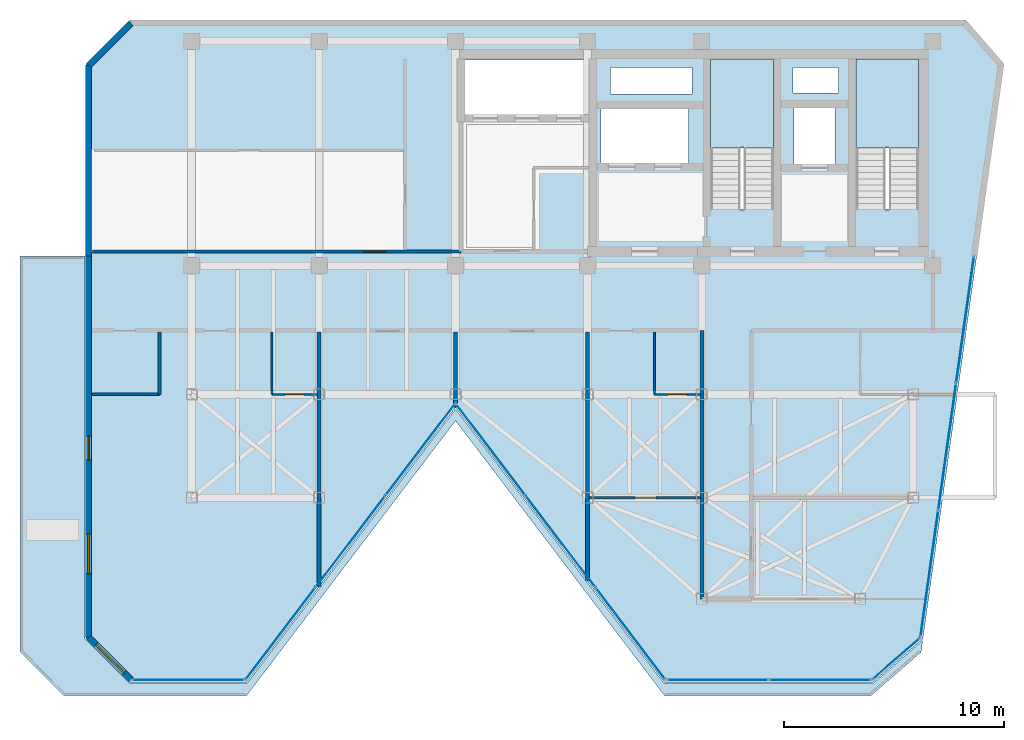
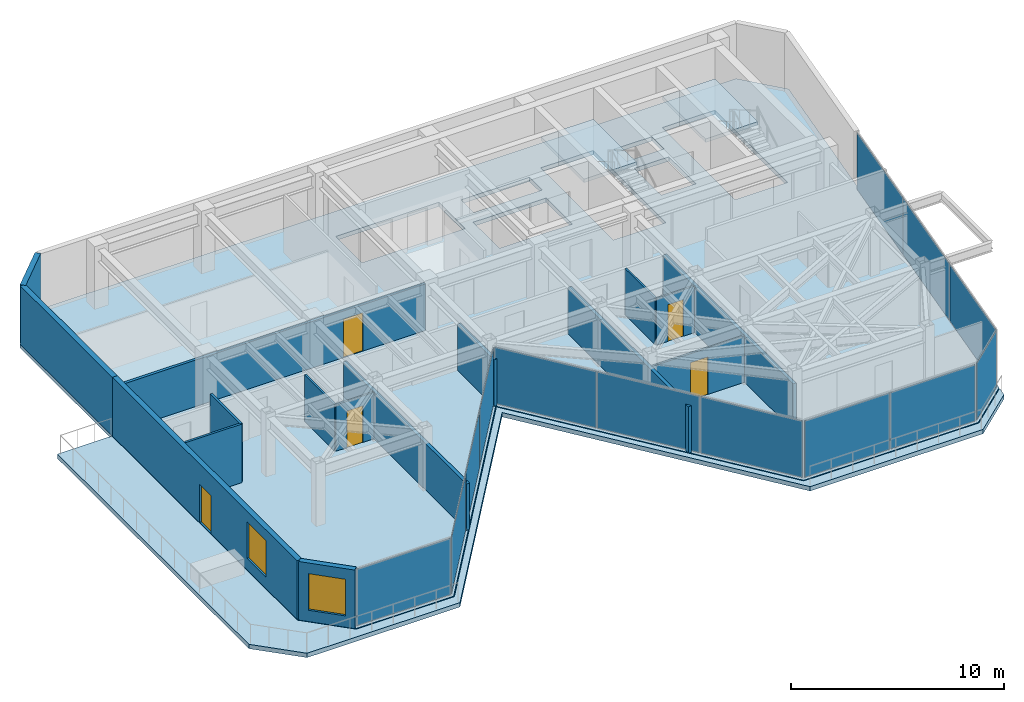
# One storey, part 13 of 17: 16 walls, 13 plates, 5 doors, 4 slabs, 2 windows, 7 openings, 8 elements without a shape of their own.
"""IFC4 building model written with IfcOpenShell, lengths in metres."""

from ifc_helpers import new_model, si_unit, direction, frame, frame_2d, origin, origin_2d, place, context, subcontext, project, spatial, polyline, rectangle, outline, extrude, material, layer, layer_set, type_object, element, fill, aggregate, save


model = new_model("IFC4")

# Units and contexts
model_context = context("Model", 3, precision=1e-05, world=origin(), true_north=direction((0.0, 1.0)))
body_context = subcontext(model_context, "Body", "Model", "MODEL_VIEW")
ifc_project = project(units=[si_unit("LENGTHUNIT", "METRE"), si_unit("AREAUNIT", "SQUARE_METRE"), si_unit("VOLUMEUNIT", "CUBIC_METRE"), si_unit("PLANEANGLEUNIT", "RADIAN"), si_unit("MASSUNIT", "GRAM", prefix="KILO")], contexts=[model_context])

# Site, building, storey
site_placement = place(None, origin())
site = spatial("IfcSite", under=ifc_project, at=site_placement, CompositionType="ELEMENT")
building_placement = place(site_placement, origin())
building = spatial("IfcBuilding", under=site, at=building_placement, Name="Kravanh Interchange Tower", CompositionType="ELEMENT")
storey_placement = place(building_placement, frame((0.0, 0.0, 263.39990234375)))
storey = spatial("IfcBuildingStorey", under=building, at=storey_placement, Name="L64", CompositionType="ELEMENT", Elevation=263.39990234375)

# Curtain wall, plates
ifc_material_1 = material(Name="Anodised Bronze Aluminium", Category="aluminium")
ifc_layer_1 = layer(ifc_material_1, 0.179931640625)
ifc_layer_set_1 = layer_set([ifc_layer_1], Name="Unitised Curtain Wall System CW-HTL Luxury Hotel")
curtain_wall_type = type_object("IfcCurtainWallType", Name="Unitised Curtain Wall System CW-HTL Luxury Hotel", PredefinedType="NOTDEFINED", material=ifc_layer_set_1)
curtain_wall_1_placement = place(storey_placement, origin())
curtain_wall_1 = element("IfcCurtainWall", 1, at=curtain_wall_1_placement, inside=storey, type_object=curtain_wall_type, Name="L64 Unitised Curtain Wall CW-L64-01", PredefinedType="NOTDEFINED")
ifc_material_2 = material(Name="Low-E Laminated Architectural Glass", Category="glass")
ifc_layer_2 = layer(ifc_material_2, 0.030029296875)
ifc_layer_set_2 = layer_set([ifc_layer_2], Name="Acoustic Laminated Glazing 30mm")
plate_type = type_object("IfcPlateType", Name="Acoustic Laminated Glazing 30mm", PredefinedType="CURTAIN_PANEL", material=ifc_layer_set_2)
plate_1_placement = place(storey_placement, frame((67.96630859375, 34.89208984375, 0.06005859375), z_axis=(0.0, 0.0, 1.0), x_axis=(-0.139175113512, -0.990267785894, 0.0)))
plate_1 = element("IfcPlate", 2, at=plate_1_placement, type_object=plate_type, Name="CW-HTL panel 1.1", PredefinedType="CURTAIN_PANEL", context=body_context, shape_type="SweptSolid", body=[
    extrude(rectangle(XDim=5.7529296875, YDim=0.030029296875, at=origin_2d()), origin(), (0.0, 0.0, 1.0), 3.239990234375),
])
plate_2_placement = place(storey_placement, frame((67.1552734375, 29.120849609375, 0.06005859375), z_axis=(0.0, 0.0, 1.0), x_axis=(-0.139175113512, -0.990267785894, 0.0)))
plate_2 = element("IfcPlate", 3, at=plate_2_placement, type_object=plate_type, Name="CW-HTL panel 2.1", PredefinedType="CURTAIN_PANEL", context=body_context, shape_type="SweptSolid", body=[
    extrude(rectangle(XDim=5.782958984375, YDim=0.030029296875, at=origin_2d()), origin(), (0.0, 0.0, 1.0), 3.239990234375),
])
plate_3_placement = place(storey_placement, frame((66.34423828125, 23.349609375, 0.06005859375), z_axis=(0.0, 0.0, 1.0), x_axis=(-0.139175113512, -0.990267785894, 0.0)))
plate_3 = element("IfcPlate", 4, at=plate_3_placement, type_object=plate_type, Name="CW-HTL panel 3.1", PredefinedType="CURTAIN_PANEL", context=body_context, shape_type="SweptSolid", body=[
    extrude(rectangle(XDim=5.7529296875, YDim=0.030029296875, at=origin_2d()), origin(), (0.0, 0.0, 1.0), 3.239990234375),
])
aggregate(curtain_wall_1, [plate_1, plate_2, plate_3])

# Curtain wall, plate
curtain_wall_2_placement = place(storey_placement, origin())
curtain_wall_2 = element("IfcCurtainWall", 5, at=curtain_wall_2_placement, inside=storey, type_object=curtain_wall_type, Name="L64 Unitised Curtain Wall CW-L64-02", PredefinedType="NOTDEFINED")
plate_4_placement = place(storey_placement, frame((64.830078125, 19.480712890625, 0.06005859375), z_axis=(0.0, 0.0, 1.0), x_axis=(-0.75473192521, -0.656033323139, 0.0)))
plate_4 = element("IfcPlate", 6, at=plate_4_placement, type_object=plate_type, Name="CW-HTL panel 1.1", PredefinedType="CURTAIN_PANEL", context=body_context, shape_type="SweptSolid", body=[
    extrude(rectangle(XDim=2.80908203125, YDim=0.030029296875, at=origin_2d()), origin(), (0.0, 0.0, 1.0), 3.239990234375),
])
aggregate(curtain_wall_2, [plate_4])

# Curtain wall, plates
curtain_wall_3_placement = place(storey_placement, origin())
curtain_wall_3 = element("IfcCurtainWall", 7, at=curtain_wall_3_placement, inside=storey, type_object=curtain_wall_type, Name="L64 Unitised Curtain Wall CW-L64-03", PredefinedType="NOTDEFINED")
plate_5_placement = place(storey_placement, frame((61.368408203125, 18.52001953125, 0.06005859375), z_axis=(0.0, 0.0, 1.0), x_axis=(-1.0, 0.0, 0.0)))
plate_5 = element("IfcPlate", 8, at=plate_5_placement, type_object=plate_type, Name="CW-HTL panel 1.1", PredefinedType="CURTAIN_PANEL", context=body_context, shape_type="SweptSolid", body=[
    extrude(rectangle(XDim=4.592529296875, YDim=0.030029296875, at=origin_2d()), origin(), (0.0, 0.0, 1.0), 3.239990234375),
])
plate_6_placement = place(storey_placement, frame((56.7158203125, 18.52001953125, 0.06005859375), z_axis=(0.0, 0.0, 1.0), x_axis=(-1.0, 0.0, 0.0)))
plate_6 = element("IfcPlate", 9, at=plate_6_placement, type_object=plate_type, Name="CW-HTL panel 2.1", PredefinedType="CURTAIN_PANEL", context=body_context, shape_type="SweptSolid", body=[
    extrude(rectangle(XDim=4.592529296875, YDim=0.030029296875, at=origin_2d()), origin(), (0.0, 0.0, 1.0), 3.239990234375),
])
aggregate(curtain_wall_3, [plate_5, plate_6])

curtain_wall_4_placement = place(storey_placement, origin())
curtain_wall_4 = element("IfcCurtainWall", 10, at=curtain_wall_4_placement, inside=storey, type_object=curtain_wall_type, Name="L64 Unitised Curtain Wall CW-L64-04", PredefinedType="NOTDEFINED")
plate_7_placement = place(storey_placement, frame((52.757080078125, 20.62841796875, 0.06005859375), z_axis=(0.0, 0.0, 1.0), x_axis=(-0.605082946564, 0.79616243806, 0.0)))
plate_7 = element("IfcPlate", 11, at=plate_7_placement, type_object=plate_type, Name="CW-HTL panel 1.1", PredefinedType="CURTAIN_PANEL", context=body_context, shape_type="SweptSolid", body=[
    extrude(rectangle(XDim=5.17626953125, YDim=0.030029296875, at=origin_2d()), origin(), (0.0, 0.0, 1.0), 3.239990234375),
])
plate_8_placement = place(storey_placement, frame((49.579833984375, 24.80908203125, 0.06005859375), z_axis=(0.0, 0.0, 1.0), x_axis=(-0.605082946564, 0.79616243806, 0.0)))
plate_8 = element("IfcPlate", 12, at=plate_8_placement, type_object=plate_type, Name="CW-HTL panel 2.1", PredefinedType="CURTAIN_PANEL", context=body_context, shape_type="SweptSolid", body=[
    extrude(rectangle(XDim=5.206298828125, YDim=0.030029296875, at=origin_2d()), origin(), (0.0, 0.0, 1.0), 3.239990234375),
])
plate_9_placement = place(storey_placement, frame((46.40234375, 28.989990234375, 0.06005859375), z_axis=(0.0, 0.0, 1.0), x_axis=(-0.605082946564, 0.79616243806, 0.0)))
plate_9 = element("IfcPlate", 13, at=plate_9_placement, type_object=plate_type, Name="CW-HTL panel 3.1", PredefinedType="CURTAIN_PANEL", context=body_context, shape_type="SweptSolid", body=[
    extrude(rectangle(XDim=5.17626953125, YDim=0.030029296875, at=origin_2d()), origin(), (0.0, 0.0, 1.0), 3.239990234375),
])
aggregate(curtain_wall_4, [plate_7, plate_8, plate_9])

curtain_wall_5_placement = place(storey_placement, origin())
curtain_wall_5 = element("IfcCurtainWall", 14, at=curtain_wall_5_placement, inside=storey, type_object=curtain_wall_type, Name="L64 Unitised Curtain Wall CW-L64-05", PredefinedType="NOTDEFINED")
plate_10_placement = place(storey_placement, frame((43.19775390625, 28.989990234375, 0.06005859375), z_axis=(0.0, 0.0, 1.0), x_axis=(-0.605082946564, -0.79616243806, 0.0)))
plate_10 = element("IfcPlate", 15, at=plate_10_placement, type_object=plate_type, Name="CW-HTL panel 1.1", PredefinedType="CURTAIN_PANEL", context=body_context, shape_type="SweptSolid", body=[
    extrude(rectangle(XDim=5.17626953125, YDim=0.030029296875, at=origin_2d()), origin(), (0.0, 0.0, 1.0), 3.239990234375),
])
plate_11_placement = place(storey_placement, frame((40.020263671875, 24.80908203125, 0.06005859375), z_axis=(0.0, 0.0, 1.0), x_axis=(-0.605082946564, -0.79616243806, 0.0)))
plate_11 = element("IfcPlate", 16, at=plate_11_placement, type_object=plate_type, Name="CW-HTL panel 2.1", PredefinedType="CURTAIN_PANEL", context=body_context, shape_type="SweptSolid", body=[
    extrude(rectangle(XDim=5.206298828125, YDim=0.030029296875, at=origin_2d()), origin(), (0.0, 0.0, 1.0), 3.239990234375),
])
plate_12_placement = place(storey_placement, frame((36.8427734375, 20.62841796875, 0.06005859375), z_axis=(0.0, 0.0, 1.0), x_axis=(-0.605082946564, -0.79616243806, 0.0)))
plate_12 = element("IfcPlate", 17, at=plate_12_placement, type_object=plate_type, Name="CW-HTL panel 3.1", PredefinedType="CURTAIN_PANEL", context=body_context, shape_type="SweptSolid", body=[
    extrude(rectangle(XDim=5.17626953125, YDim=0.030029296875, at=origin_2d()), origin(), (0.0, 0.0, 1.0), 3.239990234375),
])
aggregate(curtain_wall_5, [plate_10, plate_11, plate_12])

# Curtain wall, plate
curtain_wall_6_placement = place(storey_placement, origin())
curtain_wall_6 = element("IfcCurtainWall", 18, at=curtain_wall_6_placement, inside=storey, type_object=curtain_wall_type, Name="L64 Unitised Curtain Wall CW-L64-06", PredefinedType="NOTDEFINED")
plate_13_placement = place(storey_placement, frame((32.64501953125, 18.52001953125, 0.06005859375), z_axis=(0.0, 0.0, 1.0), x_axis=(-1.0, 0.0, 0.0)))
plate_13 = element("IfcPlate", 19, at=plate_13_placement, type_object=plate_type, Name="CW-HTL panel 1.1", PredefinedType="CURTAIN_PANEL", context=body_context, shape_type="SweptSolid", body=[
    extrude(rectangle(XDim=5.07080078125, YDim=0.030029296875, at=origin_2d()), origin(), (0.0, 0.0, 1.0), 3.239990234375),
])
aggregate(curtain_wall_6, [plate_13])

# Slab
ifc_material_3 = material(Name="Concrete C50/60", Category="concrete")
ifc_layer_3 = layer(ifc_material_3, 0.239990234375)
ifc_layer_set_3 = layer_set([ifc_layer_3], Name="Composite Floor Slab Concrete C50/60 240mm")
slab_type_1 = type_object("IfcSlabType", Name="Composite Floor Slab Concrete C50/60 240mm", PredefinedType="FLOOR", material=ifc_layer_set_3)
slab_1_placement = place(storey_placement, frame((0.0, 0.0, -0.239990234375)))
element("IfcSlab", 20, at=slab_1_placement, inside=storey, type_object=slab_type_1, Name="L64 Structural Floor Slab", PredefinedType="FLOOR", context=body_context, shape_type="SweptSolid", body=[
    extrude(outline(polyline([(28.0, 20.39990234375), (30.0, 18.39990234375), (35.300048828125, 18.39990234375), (44.800048828125, 30.89990234375), (54.300048828125, 18.39990234375), (63.769775390625, 18.39990234375), (66.048095703125, 20.380615234375), (69.7216796875, 46.51953125), (68.0, 48.5), (30.0, 48.5), (28.0, 46.5), (28.0, 20.39990234375)]), holes=[polyline([(65.85009765625, 39.925048828125), (65.85009765625, 46.75), (63.0, 46.75), (63.0, 39.925048828125), (65.85009765625, 39.925048828125)]), polyline([(59.25, 39.925048828125), (59.25, 46.75), (56.39990234375, 46.75), (56.39990234375, 39.925048828125), (59.25, 39.925048828125)]), polyline([(45.239990234375, 44.219970703125), (50.840087890625, 44.219970703125), (50.840087890625, 46.699951171875), (45.239990234375, 46.699951171875), (45.239990234375, 44.219970703125)]), polyline([(51.419921875, 42.02001953125), (55.3798828125, 42.02001953125), (55.3798828125, 44.47998046875), (51.419921875, 44.47998046875), (51.419921875, 42.02001953125)]), polyline([(60.179931640625, 41.97998046875), (62.06005859375, 41.97998046875), (62.06005859375, 44.52001953125), (60.179931640625, 44.52001953125), (60.179931640625, 41.97998046875)]), polyline([(60.14990234375, 45.199951171875), (62.199951171875, 45.199951171875), (62.199951171875, 46.35009765625), (60.14990234375, 46.35009765625), (60.14990234375, 45.199951171875)]), polyline([(51.85009765625, 45.14990234375), (55.550048828125, 45.14990234375), (55.550048828125, 46.35009765625), (51.85009765625, 46.35009765625), (51.85009765625, 45.14990234375)])]), origin(), (0.0, 0.0, 1.0), 0.239990234375),
])

# Stair, slab
ifc_material_4 = material(Name="Concrete C50/60", Category="concrete")
stair_type = type_object("IfcStairType", Name="Core Fire Exit Dogleg Stair Concrete C50/60", PredefinedType="HALF_TURN_STAIR", material=ifc_material_4)
stair_1_placement = place(storey_placement, origin())
stair_1 = element("IfcStair", 21, at=stair_1_placement, inside=storey, type_object=stair_type, Name="L64 Exit Stair ST1", PredefinedType="HALF_TURN_STAIR")
ifc_material_5 = material(Name="Concrete C50/60", Category="concrete")
ifc_layer_4 = layer(ifc_material_5, 0.199951171875)
ifc_layer_set_4 = layer_set([ifc_layer_4], Name="Concrete C50/60 Stair Half-Landing Slab 200mm")
slab_type_2 = type_object("IfcSlabType", Name="Concrete C50/60 Stair Half-Landing Slab 200mm", PredefinedType="LANDING", material=ifc_layer_set_4)
slab_2_placement = place(storey_placement, frame((0.0, 0.0, 1.60009765625)))
slab_2 = element("IfcSlab", 22, at=slab_2_placement, type_object=slab_type_2, Name="ST1 landing 1", PredefinedType="LANDING", context=body_context, shape_type="SweptSolid", body=[
    extrude(outline(polyline([(65.85009765625, 42.699951171875), (65.85009765625, 46.75), (63.0, 46.75), (63.0, 42.699951171875), (65.85009765625, 42.699951171875)])), origin(), (0.0, 0.0, 1.0), 0.199951171875),
])
aggregate(stair_1, [slab_2])

stair_2_placement = place(storey_placement, origin())
stair_2 = element("IfcStair", 23, at=stair_2_placement, inside=storey, type_object=stair_type, Name="L64 Exit Stair ST2", PredefinedType="HALF_TURN_STAIR")
slab_3_placement = place(storey_placement, frame((0.0, 0.0, 1.60009765625)))
slab_3 = element("IfcSlab", 24, at=slab_3_placement, type_object=slab_type_2, Name="ST2 landing 1", PredefinedType="LANDING", context=body_context, shape_type="SweptSolid", body=[
    extrude(outline(polyline([(59.25, 42.699951171875), (59.25, 46.75), (56.39990234375, 46.75), (56.39990234375, 42.699951171875), (59.25, 42.699951171875)])), origin(), (0.0, 0.0, 1.0), 0.199951171875),
])
aggregate(stair_2, [slab_3])

# Slab
ifc_material_6 = material(Name="Concrete C50/60", Category="concrete")
ifc_layer_5 = layer(ifc_material_6, 0.25)
ifc_layer_set_5 = layer_set([ifc_layer_5], Name="Insulated Terrace Roof Slab Concrete C50/60 250mm")
slab_type_3 = type_object("IfcSlabType", Name="Insulated Terrace Roof Slab Concrete C50/60 250mm", PredefinedType="ROOF", material=ifc_layer_set_5)
slab_4_placement = place(storey_placement, frame((0.0, 0.0, -0.25)))
element("IfcSlab", 25, at=slab_4_placement, inside=storey, type_object=slab_type_3, Name="L64 Stepped Terrace Roof 1", PredefinedType="ROOF", context=body_context, shape_type="SweptSolid", body=[
    extrude(outline(polyline([(63.685302734375, 17.800048828125), (54.300048828125, 17.800048828125), (44.800048828125, 30.300048828125), (35.300048828125, 17.800048828125), (27.0, 17.800048828125), (25.0, 19.800048828125), (25.0, 37.800048828125), (27.9599609375, 37.800048828125), (27.9599609375, 20.38330078125), (29.9833984375, 18.360107421875), (35.31982421875, 18.360107421875), (44.800048828125, 30.833984375), (54.2802734375, 18.360107421875), (63.78466796875, 18.360107421875), (66.03955078125, 20.320068359375), (65.963623046875, 19.780517578125), (63.685302734375, 17.800048828125)])), origin(), (0.0, 0.0, 1.0), 0.25),
])

# Walls
ifc_material_7 = material(Name="Double Acoustic Gypsum Board and Mineral Wool")
ifc_layer_6 = layer(ifc_material_7, 0.1201171875)
ifc_layer_set_6 = layer_set([ifc_layer_6], Name="Acoustic Office Drywall Partition 120mm")
wall_type_1 = type_object("IfcWallType", Name="Acoustic Office Drywall Partition 120mm", PredefinedType="PARTITIONING", material=ifc_layer_set_6)
wall_1_placement = place(storey_placement, frame((31.340087890625, 31.5, 0.0), z_axis=(0.0, 0.0, 1.0), x_axis=(0.0, 1.0, 0.0)))
element("IfcWall", 26, at=wall_1_placement, inside=storey, type_object=wall_type_1, Name="L64 Interior Partition 15", PredefinedType="PARTITIONING", context=body_context, shape_type="SweptSolid", body=[
    extrude(rectangle(XDim=2.83203125, YDim=0.1201171875, at=frame_2d((1.416015625, 0.0))), origin(), (0.0, 0.0, 1.0), 3.360107421875),
])
wall_2_placement = place(storey_placement, frame((28.284912109375, 31.5, 0.0), z_axis=(0.0, 0.0, 1.0), x_axis=(1.0, 0.0, 0.0)))
element("IfcWall", 27, at=wall_2_placement, inside=storey, type_object=wall_type_1, Name="L64 Interior Partition 16", PredefinedType="PARTITIONING", context=body_context, shape_type="SweptSolid", body=[
    extrude(rectangle(XDim=3.05517578125, YDim=0.1201171875, at=frame_2d((1.527587890625, 0.0))), origin(), (0.0, 0.0, 1.0), 3.360107421875),
])
ifc_material_8 = material(Name="Moisture-Resistant Gypsum Board and Mineral Wool")
ifc_layer_7 = layer(ifc_material_8, 0.10009765625)
ifc_layer_set_7 = layer_set([ifc_layer_7], Name="En-Suite Moisture-Resistant Partition 100mm")
wall_type_2 = type_object("IfcWallType", Name="En-Suite Moisture-Resistant Partition 100mm", PredefinedType="PARTITIONING", material=ifc_layer_set_7)
wall_3_placement = place(storey_placement, frame((36.449951171875, 31.5, 0.0), z_axis=(0.0, 0.0, 1.0), x_axis=(0.0, 1.0, 0.0)))
element("IfcWall", 28, at=wall_3_placement, inside=storey, type_object=wall_type_2, Name="L64 Interior Partition 21", PredefinedType="PARTITIONING", context=body_context, shape_type="SweptSolid", body=[
    extrude(rectangle(XDim=2.83203125, YDim=0.10009765625, at=frame_2d((1.416015625, 0.0))), origin(), (0.0, 0.0, 1.0), 2.6640625),
])

# Wall, opening, door
wall_4_placement = place(storey_placement, frame((36.449951171875, 31.5, 0.0), z_axis=(0.0, 0.0, 1.0), x_axis=(1.0, 0.0, 0.0)))
wall_4 = element("IfcWall", 29, at=wall_4_placement, inside=storey, type_object=wall_type_2, Name="L64 Interior Partition 22", PredefinedType="PARTITIONING", context=body_context, shape_type="SweptSolid", body=[
    extrude(rectangle(XDim=2.08203125, YDim=0.10009765625, at=frame_2d((1.041015625, 0.0))), origin(), (0.0, 0.0, 1.0), 2.6640625),
])
opening_1_placement = place(wall_4_placement, frame((0.607421875, 0.0, 0.0)))
opening_1 = element("IfcOpeningElement", 30, at=opening_1_placement, cuts=wall_4, Name="Opening D-85", PredefinedType="OPENING", context=body_context, shape_type="SweptSolid", body=[
    extrude(rectangle(XDim=0.85009765625, YDim=2.10009765625, at=frame_2d((0.425048828125, 1.050048828125))), frame((0.0, 0.06005859375, 0.0), z_axis=(0.0, -1.0, 0.0), x_axis=(1.0, 0.0, 0.0)), (0.0, 0.0, 1.0), 0.1201171875),
])
ifc_material_9 = material(Name="Engineered Teak Veneer Timber", Category="wood")
door_type_1 = type_object("IfcDoorType", Name="En-Suite Timber Door 850x2100", OperationType="NOTDEFINED", PredefinedType="DOOR", material=ifc_material_9)
door_1_placement = place(opening_1_placement, origin())
door_1 = element("IfcDoor", 31, at=door_1_placement, inside=storey, type_object=door_type_1, Name="L64 En-suite Bathroom Door", OperationType="SINGLE_SWING_RIGHT", OverallHeight=2.10009765625, OverallWidth=0.85009765625, PredefinedType="DOOR", context=body_context, shape_type="SweptSolid", body=[
    extrude(rectangle(XDim=0.85009765625, YDim=2.10009765625, at=frame_2d((0.425048828125, 1.050048828125))), frame((0.0, 0.02490234375, 0.0), z_axis=(0.0, -1.0, 0.0), x_axis=(1.0, 0.0, 0.0)), (0.0, 0.0, 1.0), 0.050048828125),
])
fill(opening_1, door_1)

wall_5_placement = place(storey_placement, frame((50.867919921875, 26.800048828125, 0.0), z_axis=(0.0, 0.0, 1.0), x_axis=(1.0, 0.0, 0.0)))
wall_5 = element("IfcWall", 32, at=wall_5_placement, inside=storey, type_object=wall_type_2, Name="L64 Interior Partition 26", PredefinedType="PARTITIONING", context=body_context, shape_type="SweptSolid", body=[
    extrude(rectangle(XDim=5.06396484375, YDim=0.10009765625, at=frame_2d((2.531982421875, 0.0))), origin(), (0.0, 0.0, 1.0), 2.6640625),
])
opening_2_placement = place(wall_5_placement, frame((2.09716796875, 0.0, 0.0)))
opening_2 = element("IfcOpeningElement", 33, at=opening_2_placement, cuts=wall_5, Name="Opening D-95", PredefinedType="OPENING", context=body_context, shape_type="SweptSolid", body=[
    extrude(rectangle(XDim=0.949951171875, YDim=2.14990234375, at=frame_2d((0.47509765625, 1.074951171875))), frame((0.0, 0.06005859375, 0.0), z_axis=(0.0, -1.0, 0.0), x_axis=(1.0, 0.0, 0.0)), (0.0, 0.0, 1.0), 0.1201171875),
])
ifc_material_10 = material(Name="Laminate Solid-Core Timber", Category="wood")
door_type_2 = type_object("IfcDoorType", Name="Accessible Restroom Door 950x2150", OperationType="NOTDEFINED", PredefinedType="DOOR", material=ifc_material_10)
door_2_placement = place(opening_2_placement, origin())
door_2 = element("IfcDoor", 34, at=door_2_placement, inside=storey, type_object=door_type_2, Name="L64 Sunroom Alcove Inner Door", OperationType="SINGLE_SWING_LEFT", OverallHeight=2.14990234375, OverallWidth=0.949951171875, PredefinedType="DOOR", context=body_context, shape_type="SweptSolid", body=[
    extrude(rectangle(XDim=0.949951171875, YDim=2.14990234375, at=frame_2d((0.47509765625, 1.074951171875))), frame((0.0, 0.02490234375, 0.0), z_axis=(0.0, -1.0, 0.0), x_axis=(1.0, 0.0, 0.0)), (0.0, 0.0, 1.0), 0.050048828125),
])
fill(opening_2, door_2)

# Wall
wall_6_placement = place(storey_placement, frame((53.85009765625, 31.5, 0.0), z_axis=(0.0, 0.0, 1.0), x_axis=(0.0, 1.0, 0.0)))
element("IfcWall", 35, at=wall_6_placement, inside=storey, type_object=wall_type_2, Name="L64 Interior Partition 27", PredefinedType="PARTITIONING", context=body_context, shape_type="SweptSolid", body=[
    extrude(rectangle(XDim=2.83203125, YDim=0.10009765625, at=frame_2d((1.416015625, 0.0))), origin(), (0.0, 0.0, 1.0), 2.6640625),
])

# Wall, opening, door
wall_7_placement = place(storey_placement, frame((53.85009765625, 31.5, 0.0), z_axis=(0.0, 0.0, 1.0), x_axis=(1.0, 0.0, 0.0)))
wall_7 = element("IfcWall", 36, at=wall_7_placement, inside=storey, type_object=wall_type_2, Name="L64 Interior Partition 28", PredefinedType="PARTITIONING", context=body_context, shape_type="SweptSolid", body=[
    extrude(rectangle(XDim=2.081787109375, YDim=0.10009765625, at=frame_2d((1.041015625, 0.0))), origin(), (0.0, 0.0, 1.0), 2.6640625),
])
opening_3_placement = place(wall_7_placement, frame((0.607421875, 0.0, 0.0)))
opening_3 = element("IfcOpeningElement", 37, at=opening_3_placement, cuts=wall_7, Name="Opening D-85", PredefinedType="OPENING", context=body_context, shape_type="SweptSolid", body=[
    extrude(rectangle(XDim=0.85009765625, YDim=2.10009765625, at=frame_2d((0.425048828125, 1.050048828125))), frame((0.0, 0.06005859375, 0.0), z_axis=(0.0, -1.0, 0.0), x_axis=(1.0, 0.0, 0.0)), (0.0, 0.0, 1.0), 0.1201171875),
])
door_3_placement = place(opening_3_placement, origin())
door_3 = element("IfcDoor", 38, at=door_3_placement, inside=storey, type_object=door_type_1, Name="L64 En-suite Bathroom Door", OperationType="SINGLE_SWING_LEFT", OverallHeight=2.10009765625, OverallWidth=0.85009765625, PredefinedType="DOOR", context=body_context, shape_type="SweptSolid", body=[
    extrude(rectangle(XDim=0.85009765625, YDim=2.10009765625, at=frame_2d((0.425048828125, 1.050048828125))), frame((0.0, 0.02490234375, 0.0), z_axis=(0.0, -1.0, 0.0), x_axis=(1.0, 0.0, 0.0)), (0.0, 0.0, 1.0), 0.050048828125),
])
fill(opening_3, door_3)

# Wall, openings, door, window
ifc_material_11 = material(Name="Insulated Precast Concrete C40/50 with Bronze Cladding", Category="concrete")
ifc_layer_8 = layer(ifc_material_11, 0.280029296875)
ifc_layer_set_8 = layer_set([ifc_layer_8], Name="Exterior Insulated Concrete C40/50 Bronze Spandrel Wall 280mm")
wall_type_3 = type_object("IfcWallType", Name="Exterior Insulated Concrete C40/50 Bronze Spandrel Wall 280mm", PredefinedType="STANDARD", material=ifc_layer_set_8)
wall_8_placement = place(storey_placement, frame((28.1201171875, 20.44970703125, 0.0), z_axis=(0.0, 0.0, 1.0), x_axis=(0.0, 1.0, 0.0)))
wall_8 = element("IfcWall", 39, at=wall_8_placement, inside=storey, type_object=wall_type_3, Name="L64 Exterior Wall 1", PredefinedType="STANDARD", context=body_context, shape_type="SweptSolid", body=[
    extrude(rectangle(XDim=17.350341796875, YDim=0.280029296875, at=frame_2d((8.67529296875, 0.0))), origin(), (0.0, 0.0, 1.0), 3.360107421875),
])
opening_4_placement = place(wall_8_placement, frame((8.06494140625, 0.0, 0.0)))
opening_4 = element("IfcOpeningElement", 40, at=opening_4_placement, cuts=wall_8, Name="Opening ED-TERR110", PredefinedType="OPENING", context=body_context, shape_type="SweptSolid", body=[
    extrude(rectangle(XDim=1.10009765625, YDim=2.199951171875, at=frame_2d((0.550048828125, 1.10009765625))), frame((0.0, 0.14990234375, 0.0), z_axis=(0.0, -1.0, 0.0), x_axis=(1.0, 0.0, 0.0)), (0.0, 0.0, 1.0), 0.300048828125),
])
opening_5_placement = place(wall_8_placement, frame((2.89892578125, 0.0, 0.64990234375)))
opening_5 = element("IfcOpeningElement", 41, at=opening_5_placement, cuts=wall_8, Name="Opening WN-180X210", PredefinedType="OPENING", context=body_context, shape_type="SweptSolid", body=[
    extrude(rectangle(XDim=1.800048828125, YDim=2.10009765625, at=frame_2d((0.89990234375, 1.050048828125))), frame((0.0, 0.14990234375, 0.0), z_axis=(0.0, -1.0, 0.0), x_axis=(1.0, 0.0, 0.0)), (0.0, 0.0, 1.0), 0.300048828125),
])
ifc_material_12 = material(Name="Thermally Broken Bronze Aluminium and Laminated Glass", Category="aluminium")
door_type_3 = type_object("IfcDoorType", Name="Terrace Access Glazed Door 1100x2200", OperationType="NOTDEFINED", PredefinedType="DOOR", material=ifc_material_12)
door_4_placement = place(opening_4_placement, origin())
door_4 = element("IfcDoor", 42, at=door_4_placement, inside=storey, type_object=door_type_3, Name="L64 Stepped Sky Terrace Access Door", OperationType="SINGLE_SWING_LEFT", OverallHeight=2.199951171875, OverallWidth=1.10009765625, PredefinedType="DOOR", context=body_context, shape_type="SweptSolid", body=[
    extrude(rectangle(XDim=1.10009765625, YDim=2.199951171875, at=frame_2d((0.550048828125, 1.10009765625))), frame((0.0, 0.02490234375, 0.0), z_axis=(0.0, -1.0, 0.0), x_axis=(1.0, 0.0, 0.0)), (0.0, 0.0, 1.0), 0.050048828125),
])
fill(opening_4, door_4)
ifc_material_13 = material(Name="Thermally Broken Bronze Aluminium and Low-E Glass", Category="aluminium")
window_type = type_object("IfcWindowType", Name="Tower Pier Window 1800x2100", PartitioningType="SINGLE_PANEL", PredefinedType="WINDOW", material=ifc_material_13)
window_1_placement = place(opening_5_placement, origin())
window_1 = element("IfcWindow", 43, at=window_1_placement, inside=storey, type_object=window_type, Name="L64 Terrace Facade Window", OverallHeight=2.10009765625, OverallWidth=1.800048828125, PartitioningType="SINGLE_PANEL", PredefinedType="WINDOW", context=body_context, shape_type="SweptSolid", body=[
    extrude(rectangle(XDim=1.800048828125, YDim=2.10009765625, at=frame_2d((0.89990234375, 1.050048828125))), frame((0.0, 0.030029296875, 0.0), z_axis=(0.0, -1.0, 0.0), x_axis=(1.0, 0.0, 0.0)), (0.0, 0.0, 1.0), 0.06005859375),
])
fill(opening_5, window_1)

# Walls
wall_9_placement = place(storey_placement, frame((28.1201171875, 37.800048828125, 0.0), z_axis=(0.0, 0.0, 1.0), x_axis=(0.0, 1.0, 0.0)))
element("IfcWall", 44, at=wall_9_placement, inside=storey, type_object=wall_type_3, Name="L64 Exterior Wall 2", PredefinedType="STANDARD", context=body_context, shape_type="SweptSolid", body=[
    extrude(rectangle(XDim=8.650146484375, YDim=0.280029296875, at=frame_2d((4.3251953125, 0.0))), origin(), (0.0, 0.0, 1.0), 3.360107421875),
])
wall_10_placement = place(storey_placement, frame((28.1201171875, 46.4501953125, 0.0), z_axis=(0.0, 0.0, 1.0), x_axis=(0.707106781187, 0.707106781187, 0.0)))
element("IfcWall", 45, at=wall_10_placement, inside=storey, type_object=wall_type_3, Name="L64 Exterior Wall 3", PredefinedType="STANDARD", context=body_context, shape_type="SweptSolid", body=[
    extrude(rectangle(XDim=2.72900390625, YDim=0.280029296875, at=frame_2d((1.364501953125, 0.0))), origin(), (0.0, 0.0, 1.0), 3.360107421875),
])

# Wall, opening, window
wall_11_placement = place(storey_placement, frame((30.0498046875, 18.52001953125, 0.0), z_axis=(0.0, 0.0, 1.0), x_axis=(-0.707106781187, 0.707106781187, 0.0)))
wall_11 = element("IfcWall", 46, at=wall_11_placement, inside=storey, type_object=wall_type_3, Name="L64 Exterior Wall 7", PredefinedType="STANDARD", context=body_context, shape_type="SweptSolid", body=[
    extrude(rectangle(XDim=2.72900390625, YDim=0.280029296875, at=frame_2d((1.364501953125, 0.0))), origin(), (0.0, 0.0, 1.0), 3.360107421875),
])
opening_6_placement = place(wall_11_placement, frame((0.455078125, 0.0, 0.64990234375)))
opening_6 = element("IfcOpeningElement", 47, at=opening_6_placement, cuts=wall_11, Name="Opening WN-180X210", PredefinedType="OPENING", context=body_context, shape_type="SweptSolid", body=[
    extrude(rectangle(XDim=1.800048828125, YDim=2.10009765625, at=frame_2d((0.89990234375, 1.050048828125))), frame((0.0, 0.14990234375, 0.0), z_axis=(0.0, -1.0, 0.0), x_axis=(1.0, 0.0, 0.0)), (0.0, 0.0, 1.0), 0.300048828125),
])
window_2_placement = place(opening_6_placement, origin())
window_2 = element("IfcWindow", 48, at=window_2_placement, inside=storey, type_object=window_type, Name="L64 Corner Window 7", OverallHeight=2.10009765625, OverallWidth=1.800048828125, PartitioningType="SINGLE_PANEL", PredefinedType="WINDOW", context=body_context, shape_type="SweptSolid", body=[
    extrude(rectangle(XDim=1.800048828125, YDim=2.10009765625, at=frame_2d((0.89990234375, 1.050048828125))), frame((0.0, 0.030029296875, 0.0), z_axis=(0.0, -1.0, 0.0), x_axis=(1.0, 0.0, 0.0)), (0.0, 0.0, 1.0), 0.06005859375),
])
fill(opening_6, window_2)

# Walls
ifc_material_14 = material(Name="Autoclaved Aerated Concrete C30/37 Blockwork", Category="masonry")
ifc_layer_9 = layer(ifc_material_14, 0.179931640625)
ifc_layer_set_9 = layer_set([ifc_layer_9], Name="Fire-Rated Lobby and Corridor Wall Concrete C30/37 180mm")
wall_type_4 = type_object("IfcWallType", Name="Fire-Rated Lobby and Corridor Wall Concrete C30/37 180mm", PredefinedType="STANDARD", material=ifc_layer_set_9)
wall_12_placement = place(storey_placement, frame((56.0, 22.199951171875, 0.0), z_axis=(0.0, 0.0, 1.0), x_axis=(0.0, 1.0, 0.0)))
element("IfcWall", 49, at=wall_12_placement, inside=storey, type_object=wall_type_4, Name="L64 Interior Partition 12", PredefinedType="STANDARD", context=body_context, shape_type="SweptSolid", body=[
    extrude(rectangle(XDim=12.199951171875, YDim=0.179931640625, at=frame_2d((6.10009765625, 0.0))), origin(), (0.0, 0.0, 1.0), 2.6640625),
])
wall_13_placement = place(storey_placement, frame((38.60009765625, 22.766845703125, 0.0), z_axis=(0.0, 0.0, 1.0), x_axis=(0.0, 1.0, 0.0)))
element("IfcWall", 50, at=wall_13_placement, inside=storey, type_object=wall_type_4, Name="L64 Interior Partition 23", PredefinedType="STANDARD", context=body_context, shape_type="SweptSolid", body=[
    extrude(rectangle(XDim=11.565185546875, YDim=0.179931640625, at=frame_2d((5.78271484375, 0.0))), origin(), (0.0, 0.0, 1.0), 2.6640625),
])
wall_14_placement = place(storey_placement, frame((44.800048828125, 30.9248046875, 0.0), z_axis=(0.0, 0.0, 1.0), x_axis=(0.0, 1.0, 0.0)))
element("IfcWall", 51, at=wall_14_placement, inside=storey, type_object=wall_type_4, Name="L64 Interior Partition 24", PredefinedType="STANDARD", context=body_context, shape_type="SweptSolid", body=[
    extrude(rectangle(XDim=3.4072265625, YDim=0.179931640625, at=frame_2d((1.70361328125, 0.0))), origin(), (0.0, 0.0, 1.0), 2.6640625),
])
wall_15_placement = place(storey_placement, frame((50.800048828125, 23.030029296875, 0.0), z_axis=(0.0, 0.0, 1.0), x_axis=(0.0, 1.0, 0.0)))
element("IfcWall", 52, at=wall_15_placement, inside=storey, type_object=wall_type_4, Name="L64 Interior Partition 25", PredefinedType="STANDARD", context=body_context, shape_type="SweptSolid", body=[
    extrude(rectangle(XDim=11.302001953125, YDim=0.179931640625, at=frame_2d((5.65087890625, 0.0))), origin(), (0.0, 0.0, 1.0), 2.6640625),
])

# Wall, opening, door
ifc_material_15 = material(Name="Twin Stud Acoustic Gypsum Board Wall")
ifc_layer_10 = layer(ifc_material_15, 0.14990234375)
ifc_layer_set_10 = layer_set([ifc_layer_10], Name="Medium-Duty Acoustic Partition 150mm")
wall_type_5 = type_object("IfcWallType", Name="Medium-Duty Acoustic Partition 150mm", PredefinedType="PARTITIONING", material=ifc_layer_set_10)
wall_16_placement = place(storey_placement, frame((28.284912109375, 38.0, 0.0), z_axis=(0.0, 0.0, 1.0), x_axis=(1.0, 0.0, 0.0)))
wall_16 = element("IfcWall", 53, at=wall_16_placement, inside=storey, type_object=wall_type_5, Name="L64 Interior Partition 5", PredefinedType="PARTITIONING", context=body_context, shape_type="SweptSolid", body=[
    extrude(rectangle(XDim=16.76513671875, YDim=0.14990234375, at=frame_2d((8.382568359375, 0.0))), origin(), (0.0, 0.0, 1.0), 2.6640625),
])
opening_7_placement = place(wall_16_placement, frame((12.31494140625, 0.0, 0.0)))
opening_7 = element("IfcOpeningElement", 54, at=opening_7_placement, cuts=wall_16, Name="Opening D-105", PredefinedType="OPENING", context=body_context, shape_type="SweptSolid", body=[
    extrude(rectangle(XDim=1.050048828125, YDim=2.199951171875, at=frame_2d((0.52490234375, 1.10009765625))), frame((0.0, 0.0849609375, 0.0), z_axis=(0.0, -1.0, 0.0), x_axis=(1.0, 0.0, 0.0)), (0.0, 0.0, 1.0), 0.169921875),
])
ifc_material_16 = material(Name="Acoustic Glazed Oak and Aluminium", Category="aluminium")
door_type_4 = type_object("IfcDoorType", Name="Office Workplace Door 1050x2200", OperationType="NOTDEFINED", PredefinedType="DOOR", material=ifc_material_16)
door_5_placement = place(opening_7_placement, origin())
door_5 = element("IfcDoor", 55, at=door_5_placement, inside=storey, type_object=door_type_4, Name="L64 Executive Business Study Door", OperationType="SINGLE_SWING_LEFT", OverallHeight=2.199951171875, OverallWidth=1.050048828125, PredefinedType="DOOR", context=body_context, shape_type="SweptSolid", body=[
    extrude(rectangle(XDim=1.050048828125, YDim=2.199951171875, at=frame_2d((0.52490234375, 1.10009765625))), frame((0.0, 0.02490234375, 0.0), z_axis=(0.0, -1.0, 0.0), x_axis=(1.0, 0.0, 0.0)), (0.0, 0.0, 1.0), 0.050048828125),
])
fill(opening_7, door_5)

save(model, "model.ifc")
